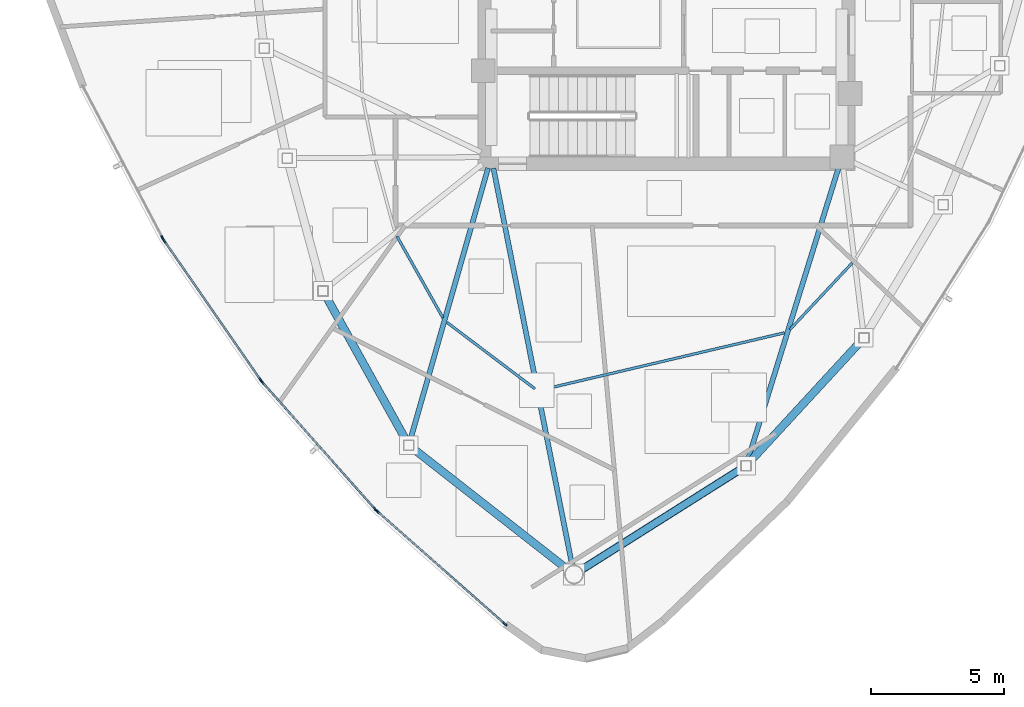
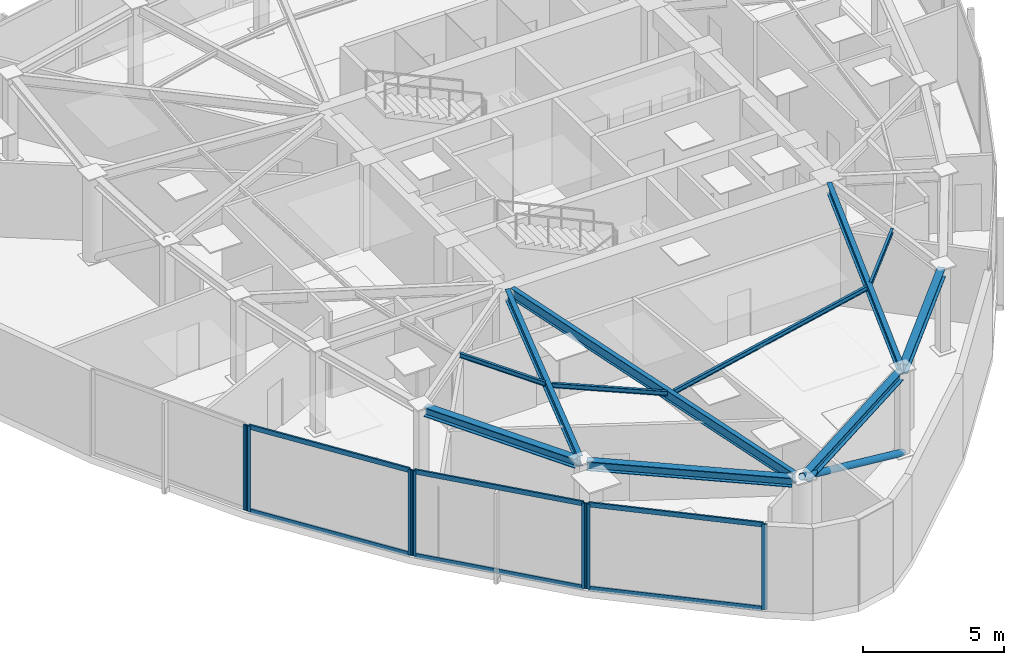
# One storey, part 2 of 13: 14 members, 11 beams, 4 elements without a shape of their own.
"""IFC4 building model written with IfcOpenShell, lengths in metres."""

from ifc_helpers import new_model, si_unit, direction, frame, origin, origin_2d, place, context, subcontext, project, spatial, hollow_rectangle, hollow_circle, i_section, extrude, source, transform, mapped, material, layer, layer_set, material_profile, profile_set, type_object, type_shapes, element, aggregate, save


model = new_model("IFC4")

# Units and contexts
model_context = context("Model", 3, precision=1e-05, world=origin(), true_north=direction((0.0, 1.0)))
body_context = subcontext(model_context, "Body", "Model", "MODEL_VIEW")
ifc_project = project(units=[si_unit("LENGTHUNIT", "METRE"), si_unit("AREAUNIT", "SQUARE_METRE"), si_unit("VOLUMEUNIT", "CUBIC_METRE"), si_unit("PLANEANGLEUNIT", "RADIAN"), si_unit("MASSUNIT", "GRAM", prefix="KILO")], contexts=[model_context])

# Site, building, storey
site_placement = place(None, origin())
site = spatial("IfcSite", under=ifc_project, at=site_placement, CompositionType="ELEMENT")
building_placement = place(site_placement, origin())
building = spatial("IfcBuilding", under=site, at=building_placement, Name="Tavelor Broadcast Tower", CompositionType="ELEMENT")
storey_placement = place(building_placement, frame((0.0, 0.0, 301.5)))
storey = spatial("IfcBuildingStorey", under=building, at=storey_placement, Name="L72", CompositionType="ELEMENT", Elevation=301.5)

# Beams
ifc_material_1 = material(Name="Steel S355", Category="steel")
ifc_material_profile_1 = material_profile(ifc_material_1, i_section(OverallWidth=0.10009765625, OverallDepth=0.199951171875, WebThickness=0.005615234375, FlangeThickness=0.008544921875, at=origin_2d()), Name="IPE 200")
ifc_profile_set_1 = profile_set([ifc_material_profile_1], Name="Steel S355")
beam_type_1 = type_object("IfcBeamType", Name="Composite Floor Joist T8 IPE 200", PredefinedType="JOIST", material=ifc_profile_set_1)
beam_1_placement = place(storey_placement, frame((39.850341796875, 35.818115234375, 3.60009765625), z_axis=(0.491325237054, -0.870976183046, 0.0), x_axis=(0.870976183046, 0.491325237054, 0.0)))
element("IfcBeam", 1, at=beam_1_placement, inside=storey, type_object=beam_type_1, Name="L72 Secondary Composite Floor Joist 05", PredefinedType="JOIST", context=body_context, shape_type="SweptSolid", body=[
    extrude(i_section(OverallWidth=0.10009765625, OverallDepth=0.199951171875, WebThickness=0.005615234375, FlangeThickness=0.008544921875, at=origin_2d()), origin(), (0.0, 0.0, 1.0), 3.517578125),
])
beam_2_placement = place(storey_placement, frame((41.738037109375, 32.572021484375, 3.60009765625), z_axis=(0.798228709669, -0.602354486213, 0.0), x_axis=(0.602354486213, 0.798228709669, 0.0)))
element("IfcBeam", 2, at=beam_2_placement, inside=storey, type_object=beam_type_1, Name="L72 Secondary Composite Floor Joist 06", PredefinedType="JOIST", context=body_context, shape_type="SweptSolid", body=[
    extrude(i_section(OverallWidth=0.10009765625, OverallDepth=0.199951171875, WebThickness=0.005615234375, FlangeThickness=0.008544921875, at=origin_2d()), origin(), (0.0, 0.0, 1.0), 4.14306640625),
])
beam_3_placement = place(storey_placement, frame((45.264404296875, 30.0302734375, 3.60009765625), z_axis=(0.973517343803, 0.2286131696, 0.0), x_axis=(-0.2286131696, 0.973517343803, 0.0)))
element("IfcBeam", 3, at=beam_3_placement, inside=storey, type_object=beam_type_1, Name="L72 Secondary Composite Floor Joist 07", PredefinedType="JOIST", context=body_context, shape_type="SweptSolid", body=[
    extrude(i_section(OverallWidth=0.10009765625, OverallDepth=0.199951171875, WebThickness=0.005615234375, FlangeThickness=0.008544921875, at=origin_2d()), origin(), (0.0, 0.0, 1.0), 9.420166015625),
])
beam_4_placement = place(storey_placement, frame((54.64013671875, 32.302490234375, 3.60009765625), z_axis=(0.683232798119, 0.730200618717, 0.0), x_axis=(-0.730200618717, 0.683232798119, 0.0)))
element("IfcBeam", 4, at=beam_4_placement, inside=storey, type_object=beam_type_1, Name="L72 Secondary Composite Floor Joist 08", PredefinedType="JOIST", context=body_context, shape_type="SweptSolid", body=[
    extrude(i_section(OverallWidth=0.10009765625, OverallDepth=0.199951171875, WebThickness=0.005615234375, FlangeThickness=0.008544921875, at=origin_2d()), origin(), (0.0, 0.0, 1.0), 3.441162109375),
])
ifc_material_profile_2 = material_profile(ifc_material_1, i_section(OverallWidth=0.300048828125, OverallDepth=0.39990234375, WebThickness=0.013427734375, FlangeThickness=0.02392578125, at=origin_2d()), Name="HEB 400")
ifc_profile_set_2 = profile_set([ifc_material_profile_2], Name="Steel S355")
beam_type_2 = type_object("IfcBeamType", Name="Perimeter Spandrel Beam T8 HEB 400", PredefinedType="SPANDREL", material=ifc_profile_set_2)
beam_5_placement = place(storey_placement, frame((37.161376953125, 33.591796875, 3.5), z_axis=(0.485960824991, -0.87398059279, 0.0), x_axis=(0.87398059279, 0.485960824991, 0.0)))
element("IfcBeam", 5, at=beam_5_placement, inside=storey, type_object=beam_type_2, Name="L72 Framed-Tube Ring Spandrel 05", PredefinedType="SPANDREL", context=body_context, shape_type="SweptSolid", body=[
    extrude(i_section(OverallWidth=0.300048828125, OverallDepth=0.39990234375, WebThickness=0.013427734375, FlangeThickness=0.02392578125, at=origin_2d()), origin(), (0.0, 0.0, 1.0), 6.25927734375),
])
beam_6_placement = place(storey_placement, frame((40.44775390625, 27.835205078125, 3.5), z_axis=(0.787507799936, -0.616304685233, 0.0), x_axis=(0.616304685233, 0.787507799936, 0.0)))
element("IfcBeam", 6, at=beam_6_placement, inside=storey, type_object=beam_type_2, Name="L72 Framed-Tube Ring Spandrel 06", PredefinedType="SPANDREL", context=body_context, shape_type="SweptSolid", body=[
    extrude(i_section(OverallWidth=0.300048828125, OverallDepth=0.39990234375, WebThickness=0.013427734375, FlangeThickness=0.02392578125, at=origin_2d()), origin(), (0.0, 0.0, 1.0), 7.362548828125),
])
beam_7_placement = place(storey_placement, frame((46.80322265625, 23.26953125, 3.5), z_axis=(0.845619104197, 0.533786783855, 0.0), x_axis=(-0.533786783855, 0.845619104197, 0.0)))
element("IfcBeam", 7, at=beam_7_placement, inside=storey, type_object=beam_type_2, Name="L72 Framed-Tube Ring Spandrel 07", PredefinedType="SPANDREL", context=body_context, shape_type="SweptSolid", body=[
    extrude(i_section(OverallWidth=0.300048828125, OverallDepth=0.39990234375, WebThickness=0.013427734375, FlangeThickness=0.02392578125, at=origin_2d()), origin(), (0.0, 0.0, 1.0), 7.127685546875),
])
beam_8_placement = place(storey_placement, frame((53.123046875, 27.318115234375, 3.5), z_axis=(0.677791441508, 0.735254215778, 0.0), x_axis=(-0.735254215778, 0.677791441508, 0.0)))
element("IfcBeam", 8, at=beam_8_placement, inside=storey, type_object=beam_type_2, Name="L72 Framed-Tube Ring Spandrel 08", PredefinedType="SPANDREL", context=body_context, shape_type="SweptSolid", body=[
    extrude(i_section(OverallWidth=0.300048828125, OverallDepth=0.39990234375, WebThickness=0.013427734375, FlangeThickness=0.02392578125, at=origin_2d()), origin(), (0.0, 0.0, 1.0), 6.164794921875),
])

# Member
ifc_material_profile_3 = material_profile(ifc_material_1, hollow_circle(Radius=0.136474609375, WallThickness=0.012451171875, at=origin_2d()), Name="CHS 273x12.5")
ifc_profile_set_3 = profile_set([ifc_material_profile_3], Name="Steel S355")
member_type_1 = type_object("IfcMemberType", Name="Perimeter Tube Brace T8 CHS 273x12.5", PredefinedType="BRACE", material=ifc_profile_set_3)
member_1_placement = place(storey_placement, frame((52.992919921875, 27.1767578125, 0.0), z_axis=(-0.761462376336, -0.480666847696, 0.434895885184), x_axis=(0.533789146824, -0.845617612596, 0.0)))
element("IfcMember", 9, at=member_1_placement, inside=storey, type_object=member_type_1, Name="L72 Corner Tube Diagonal Brace 2", PredefinedType="BRACE", context=body_context, shape_type="SweptSolid", body=[
    extrude(hollow_circle(Radius=0.136474609375, WallThickness=0.012451171875, at=origin_2d()), origin(), (0.0, 0.0, 1.0), 8.507568359375),
])

# Beams
ifc_material_profile_4 = material_profile(ifc_material_1, i_section(OverallWidth=0.18994140625, OverallDepth=0.449951171875, WebThickness=0.009521484375, FlangeThickness=0.0146484375, at=origin_2d()), Name="IPE 450")
ifc_profile_set_4 = profile_set([ifc_material_profile_4], Name="Steel S355")
beam_type_3 = type_object("IfcBeamType", Name="Radial Floor Girder T8 IPE 450", PredefinedType="BEAM", material=ifc_profile_set_4)
beam_9_placement = place(storey_placement, frame((43.28125, 38.384765625, 3.47509765625), z_axis=(-0.275093242186, -0.961417551381, 0.0), x_axis=(0.961417551381, -0.275093242186, 0.0)))
element("IfcBeam", 10, at=beam_9_placement, inside=storey, type_object=beam_type_3, Name="L72 Radial Primary Floor Girder 06", PredefinedType="BEAM", context=body_context, shape_type="SweptSolid", body=[
    extrude(i_section(OverallWidth=0.18994140625, OverallDepth=0.449951171875, WebThickness=0.009521484375, FlangeThickness=0.0146484375, at=origin_2d()), origin(), (0.0, 0.0, 1.0), 10.65771484375),
])
beam_10_placement = place(storey_placement, frame((43.48388671875, 38.376220703125, 3.47509765625), z_axis=(0.194446659361, -0.980913093328, 0.0), x_axis=(0.980913093328, 0.194446659361, 0.0)))
element("IfcBeam", 11, at=beam_10_placement, inside=storey, type_object=beam_type_3, Name="L72 Radial Primary Floor Girder 07", PredefinedType="BEAM", context=body_context, shape_type="SweptSolid", body=[
    extrude(i_section(OverallWidth=0.18994140625, OverallDepth=0.449951171875, WebThickness=0.009521484375, FlangeThickness=0.0146484375, at=origin_2d()), origin(), (0.0, 0.0, 1.0), 15.2451171875),
])
beam_11_placement = place(storey_placement, frame((56.471923828125, 38.387451171875, 3.47509765625), z_axis=(-0.296386578424, -0.955068058376, 0.0), x_axis=(0.955068058376, -0.296386578424, 0.0)))
element("IfcBeam", 12, at=beam_11_placement, inside=storey, type_object=beam_type_3, Name="L72 Radial Primary Floor Girder 08", PredefinedType="BEAM", context=body_context, shape_type="SweptSolid", body=[
    extrude(i_section(OverallWidth=0.18994140625, OverallDepth=0.449951171875, WebThickness=0.009521484375, FlangeThickness=0.0146484375, at=origin_2d()), origin(), (0.0, 0.0, 1.0), 11.546142578125),
])

# Curtain wall, member
ifc_material_2 = material(Name="Architectural Anodized Aluminium", Category="aluminium")
ifc_layer = layer(ifc_material_2, 0.199951171875)
ifc_layer_set = layer_set([ifc_layer], Name="Architectural Anodized Aluminium")
curtain_wall_type = type_object("IfcCurtainWallType", Name="Tower High-Zone Triple-Glazed Curtain Wall CW04", PredefinedType="NOTDEFINED", material=ifc_layer_set)
curtain_wall_1_placement = place(storey_placement, origin())
curtain_wall_1 = element("IfcCurtainWall", 13, at=curtain_wall_1_placement, inside=storey, type_object=curtain_wall_type, Name="L72 Curtain Wall CW04 Run 793", PredefinedType="NOTDEFINED")
ifc_material_profile_5 = material_profile(ifc_material_2, hollow_rectangle(XDim=0.070068359375, YDim=0.199951171875, WallThickness=0.02197265625, at=origin_2d()), Name="RHS 70x200x22")
ifc_profile_set_5 = profile_set([ifc_material_profile_5], Name="Architectural Anodized Aluminium")
member_type_2 = type_object("IfcMemberType", Name="CW04 Extruded Aluminium Mullion 70x200", PredefinedType="MULLION", material=ifc_profile_set_5)
shared_shape_1 = source(origin(), body_context, "Body", "SweptSolid", [
    extrude(hollow_rectangle(XDim=0.070068359375, YDim=0.199951171875, WallThickness=0.02197265625, at=origin_2d()), origin(), (0.0, 0.0, 1.0), 3.699951171875),
])
type_shapes(member_type_2, [shared_shape_1])
member_2_placement = place(storey_placement, frame((31.029296875, 35.749267578125, 0.0), z_axis=(0.0, 0.0, 1.0), x_axis=(0.88519480833, 0.465220540502, 0.0)))
member_2 = element("IfcMember", 14, at=member_2_placement, type_object=member_type_2, Name="CW04 mullion 2", PredefinedType="MULLION", context=body_context, shape_type="MappedRepresentation", body=[
    mapped(shared_shape_1, transform((0.0, 0.0, 0.0), scale=1.0)),
])
aggregate(curtain_wall_1, [member_2])

# Curtain wall, members
curtain_wall_2_placement = place(storey_placement, origin())
curtain_wall_2 = element("IfcCurtainWall", 15, at=curtain_wall_2_placement, inside=storey, type_object=curtain_wall_type, Name="L72 Curtain Wall CW04 Run 794", PredefinedType="NOTDEFINED")
member_3_placement = place(storey_placement, frame((31.080810546875, 35.6640625, 0.0), z_axis=(0.0, 0.0, 1.0), x_axis=(0.822383078666, 0.568934154295, 0.0)))
member_3 = element("IfcMember", 16, at=member_3_placement, type_object=member_type_2, Name="CW04 mullion 1", PredefinedType="MULLION", context=body_context, shape_type="MappedRepresentation", body=[
    mapped(shared_shape_1, transform((0.0, 0.0, 0.0), scale=1.0)),
])
member_4_placement = place(storey_placement, frame((34.720458984375, 30.403076171875, 0.0), z_axis=(0.0, 0.0, 1.0), x_axis=(0.822383078666, 0.568934154295, 0.0)))
member_4 = element("IfcMember", 17, at=member_4_placement, type_object=member_type_2, Name="CW04 mullion 2", PredefinedType="MULLION", context=body_context, shape_type="MappedRepresentation", body=[
    mapped(shared_shape_1, transform((0.0, 0.0, 0.0), scale=1.0)),
])

curtain_wall_3_placement = place(storey_placement, origin())
curtain_wall_3 = element("IfcCurtainWall", 18, at=curtain_wall_3_placement, inside=storey, type_object=curtain_wall_type, Name="L72 Curtain Wall CW04 Run 795", PredefinedType="NOTDEFINED")
member_5_placement = place(storey_placement, frame((34.7822265625, 30.324462890625, 0.0), z_axis=(0.0, 0.0, 1.0), x_axis=(0.747506566856, 0.664254418508, 0.0)))
member_5 = element("IfcMember", 19, at=member_5_placement, type_object=member_type_2, Name="CW04 mullion 1", PredefinedType="MULLION", context=body_context, shape_type="MappedRepresentation", body=[
    mapped(shared_shape_1, transform((0.0, 0.0, 0.0), scale=1.0)),
])
member_6_placement = place(storey_placement, frame((39.031494140625, 25.542724609375, 0.0), z_axis=(0.0, 0.0, 1.0), x_axis=(0.747506566856, 0.664254418508, 0.0)))
member_6 = element("IfcMember", 20, at=member_6_placement, type_object=member_type_2, Name="CW04 mullion 2", PredefinedType="MULLION", context=body_context, shape_type="MappedRepresentation", body=[
    mapped(shared_shape_1, transform((0.0, 0.0, 0.0), scale=1.0)),
])

curtain_wall_4_placement = place(storey_placement, origin())
curtain_wall_4 = element("IfcCurtainWall", 21, at=curtain_wall_4_placement, inside=storey, type_object=curtain_wall_type, Name="L72 Curtain Wall CW04 Run 796", PredefinedType="NOTDEFINED")
member_7_placement = place(storey_placement, frame((39.102294921875, 25.47216796875, 0.0), z_axis=(0.0, 0.0, 1.0), x_axis=(0.661614494855, 0.749844157274, 0.0)))
member_7 = element("IfcMember", 22, at=member_7_placement, type_object=member_type_2, Name="CW04 mullion 1", PredefinedType="MULLION", context=body_context, shape_type="MappedRepresentation", body=[
    mapped(shared_shape_1, transform((0.0, 0.0, 0.0), scale=1.0)),
])
member_8_placement = place(storey_placement, frame((43.9111328125, 21.229248046875, 0.0), z_axis=(0.0, 0.0, 1.0), x_axis=(0.661614494855, 0.749844157274, 0.0)))
member_8 = element("IfcMember", 23, at=member_8_placement, type_object=member_type_2, Name="CW04 mullion 2", PredefinedType="MULLION", context=body_context, shape_type="MappedRepresentation", body=[
    mapped(shared_shape_1, transform((0.0, 0.0, 0.0), scale=1.0)),
])

# Member
ifc_material_profile_6 = material_profile(ifc_material_2, hollow_rectangle(XDim=0.070068359375, YDim=0.199951171875, WallThickness=0.02197265625, at=origin_2d()), Name="RHS 70x200x22")
ifc_profile_set_6 = profile_set([ifc_material_profile_6], Name="Architectural Anodized Aluminium")
member_type_3 = type_object("IfcMemberType", Name="CW04 Extruded Aluminium Transom 70x200", PredefinedType="USERDEFINED", material=ifc_profile_set_6)
shared_shape_2 = source(origin(), body_context, "Body", "SweptSolid", [
    extrude(hollow_rectangle(XDim=0.070068359375, YDim=0.199951171875, WallThickness=0.02197265625, at=origin_2d()), origin(), (0.0, 0.0, 1.0), 6.3271484375),
])
member_9_placement = place(storey_placement, frame((31.100830078125, 35.63525390625, 0.034912109375), z_axis=(0.568945097541, -0.822375507894, 0.0), x_axis=(0.822375507894, 0.568945097541, 0.0)))
member_9 = element("IfcMember", 24, at=member_9_placement, type_object=member_type_3, Name="CW04 transom 1.1", ObjectType="TRANSOM", PredefinedType="USERDEFINED", context=body_context, shape_type="MappedRepresentation", body=[
    mapped(shared_shape_2, transform((0.0, 0.0, 0.0), scale=1.0)),
])

member_10_placement = place(storey_placement, frame((31.100830078125, 35.63525390625, 3.6650390625), z_axis=(0.568945097541, -0.822375507894, 0.0), x_axis=(0.822375507894, 0.568945097541, 0.0)))
member_10 = element("IfcMember", 25, at=member_10_placement, type_object=member_type_3, Name="CW04 transom 1.2", ObjectType="TRANSOM", PredefinedType="USERDEFINED", context=body_context, shape_type="MappedRepresentation", body=[
    mapped(shared_shape_2, transform((0.0, 0.0, 0.0), scale=1.0)),
])

aggregate(curtain_wall_2, [member_3, member_4, member_9, member_10])

member_11_placement = place(storey_placement, frame((34.805419921875, 30.29833984375, 0.034912109375), z_axis=(0.664265637248, -0.747496597431, 0.0), x_axis=(0.747496597431, 0.664265637248, 0.0)))
member_11 = element("IfcMember", 26, at=member_11_placement, type_object=member_type_3, Name="CW04 transom 1.1", ObjectType="TRANSOM", PredefinedType="USERDEFINED", context=body_context, shape_type="MappedRepresentation", body=[
    mapped(shared_shape_2, transform((0.0, 0.0, 0.0), scale=1.0)),
])

member_12_placement = place(storey_placement, frame((34.805419921875, 30.29833984375, 3.6650390625), z_axis=(0.664265637248, -0.747496597431, 0.0), x_axis=(0.747496597431, 0.664265637248, 0.0)))
member_12 = element("IfcMember", 27, at=member_12_placement, type_object=member_type_3, Name="CW04 transom 1.2", ObjectType="TRANSOM", PredefinedType="USERDEFINED", context=body_context, shape_type="MappedRepresentation", body=[
    mapped(shared_shape_2, transform((0.0, 0.0, 0.0), scale=1.0)),
])

aggregate(curtain_wall_3, [member_5, member_6, member_11, member_12])

shared_shape_3 = source(origin(), body_context, "Body", "SweptSolid", [
    extrude(hollow_rectangle(XDim=0.070068359375, YDim=0.199951171875, WallThickness=0.02197265625, at=origin_2d()), origin(), (0.0, 0.0, 1.0), 6.34326171875),
])
type_shapes(member_type_3, [shared_shape_2, shared_shape_3])
member_13_placement = place(storey_placement, frame((39.12841796875, 25.448974609375, 0.034912109375), z_axis=(0.749837855365, -0.661621637087, 0.0), x_axis=(0.661621637087, 0.749837855365, 0.0)))
member_13 = element("IfcMember", 28, at=member_13_placement, type_object=member_type_3, Name="CW04 transom 1.1", ObjectType="TRANSOM", PredefinedType="USERDEFINED", context=body_context, shape_type="MappedRepresentation", body=[
    mapped(shared_shape_3, transform((0.0, 0.0, 0.0), scale=1.0)),
])

member_14_placement = place(storey_placement, frame((39.12841796875, 25.448974609375, 3.6650390625), z_axis=(0.749837855365, -0.661621637087, 0.0), x_axis=(0.661621637087, 0.749837855365, 0.0)))
member_14 = element("IfcMember", 29, at=member_14_placement, type_object=member_type_3, Name="CW04 transom 1.2", ObjectType="TRANSOM", PredefinedType="USERDEFINED", context=body_context, shape_type="MappedRepresentation", body=[
    mapped(shared_shape_3, transform((0.0, 0.0, 0.0), scale=1.0)),
])

aggregate(curtain_wall_4, [member_7, member_8, member_13, member_14])

save(model, "model.ifc")
